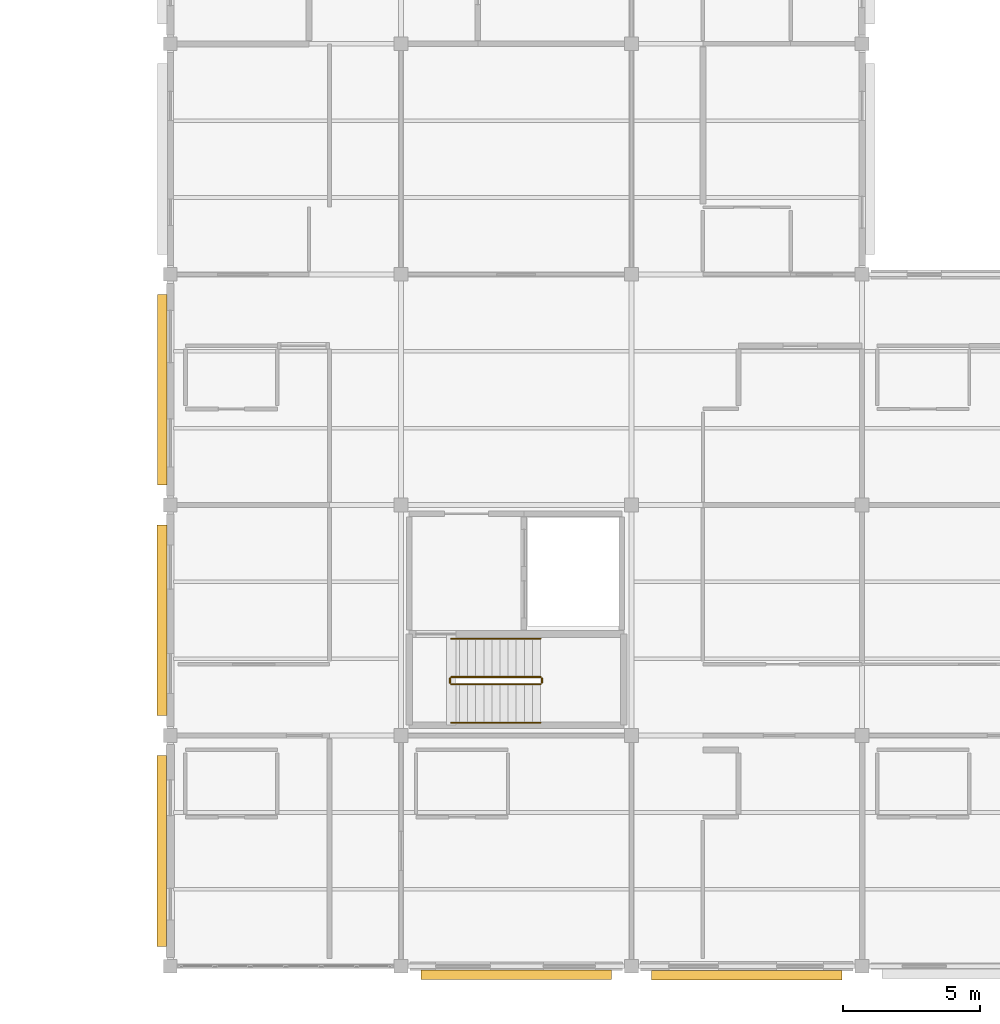
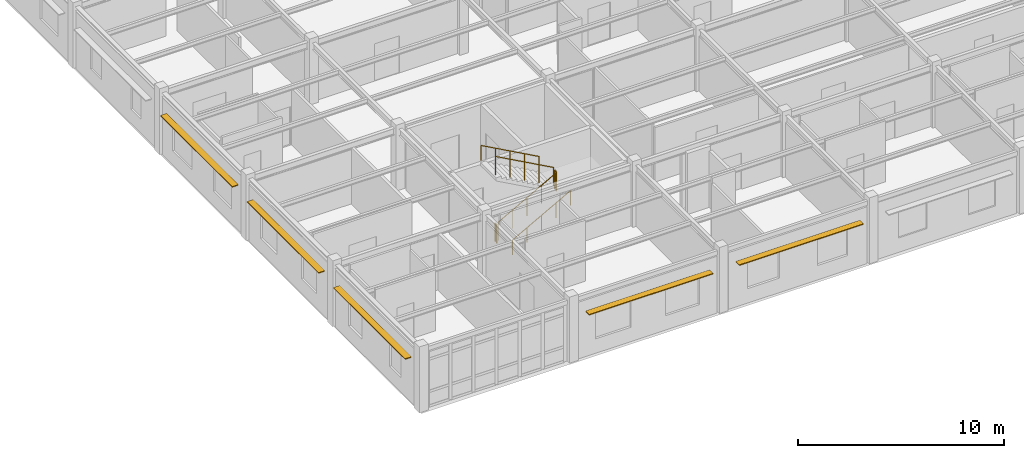
# One storey, part 47 of 53: 6 railings, 5 shading devices.
"""IFC4 building model written with IfcOpenShell, lengths in metres."""

import ifcopenshell
import ifcopenshell.guid

model = None  # the IFC model being written
_history = None  # IfcOwnerHistory: only IFC2X3 demands one
_inside = {}  # id of a spatial element -> (the spatial element, [elements in it])
_under = {}  # id of a project, library or spatial element -> (it, [spatial elements below it])
_declared = {}  # id of a project -> (the project, [libraries it declares])
_typed = {}  # id of a type object -> (the type object, [elements of that type])
_made_of = {}  # id of a material, layer set ... -> (it, [elements and type objects made of it])


def new_model(schema):
    """Start an empty IFC model of exactly this schema.

    Asked for "IFC4X3", IfcOpenShell would pick the latest addendum, in which some entities
    have other attributes; the version numbers below select the first issue.
    IFC2X3 requires an IfcOwnerHistory on every rooted entity: one is made here for all.
    """
    global model, _history
    if schema == "IFC4X3":
        model = ifcopenshell.file(schema_version=(4, 3, 0, 0))
    else:
        model = ifcopenshell.file(schema=schema)
    _inside.clear()
    _under.clear()
    _declared.clear()
    _typed.clear()
    _made_of.clear()
    _history = None
    if model.schema == "IFC2X3":
        org = make("IfcOrganization", Name="unknown")
        user = make(
            "IfcPersonAndOrganization",
            ThePerson=make("IfcPerson", FamilyName="unknown"),
            TheOrganization=org,
        )
        app = make(
            "IfcApplication",
            ApplicationDeveloper=org,
            Version="unknown",
            ApplicationFullName="unknown",
            ApplicationIdentifier="unknown",
        )
        _history = make(
            "IfcOwnerHistory",
            OwningUser=user,
            OwningApplication=app,
            ChangeAction="ADDED",
            CreationDate=0,
        )
    return model


def make(cls, **values):
    """One entity of the class cls with the attributes given. An attribute that is None is left unset."""
    return model.create_entity(
        cls, **{name: value for name, value in values.items() if value is not None}
    )


def rooted(cls, **values):
    """An entity with a GlobalId (a new one), such as an element, a storey or a relation."""
    return make(cls, GlobalId=ifcopenshell.guid.new(), OwnerHistory=_history, **values)


def si_unit(unit_type, name, prefix=None):
    """IfcSIUnit, for example si_unit("LENGTHUNIT", "METRE", prefix="MILLI")."""
    return make("IfcSIUnit", UnitType=unit_type, Prefix=prefix, Name=name)


def assignment(units):
    """IfcUnitAssignment: the units of a project."""
    return None if units is None else make("IfcUnitAssignment", Units=units)


def point(xyz):
    """IfcCartesianPoint."""
    return None if xyz is None else make("IfcCartesianPoint", Coordinates=xyz)


def direction(xyz):
    """IfcDirection."""
    return None if xyz is None else make("IfcDirection", DirectionRatios=xyz)


def frame(location, z_axis=None, x_axis=None):
    """IfcAxis2Placement3D, a coordinate frame: its origin and axes. An axis left out is left unset."""
    return make(
        "IfcAxis2Placement3D",
        Location=point(location),
        Axis=direction(z_axis),
        RefDirection=direction(x_axis),
    )


def frame_2d(location, x_axis=None):
    """IfcAxis2Placement2D, a coordinate frame in the plane: its origin and x axis."""
    return make(
        "IfcAxis2Placement2D", Location=point(location), RefDirection=direction(x_axis)
    )


def origin():
    """The frame at (0, 0, 0) with its axes left unset."""
    return frame((0.0, 0.0, 0.0))


def origin_2d():
    """The frame at (0, 0) in the plane with its x axis left unset."""
    return frame_2d((0.0, 0.0))


def place(relative_to, where):
    """IfcLocalPlacement: puts the frame where relative to a parent placement (None: the world)."""
    return make(
        "IfcLocalPlacement", PlacementRelTo=relative_to, RelativePlacement=where
    )


def context(
    kind, dimensions, precision=None, world=None, true_north=None, identifier=None
):
    """IfcGeometricRepresentationContext, for example the 3D "Model" context."""
    return make(
        "IfcGeometricRepresentationContext",
        ContextIdentifier=identifier,
        ContextType=kind,
        CoordinateSpaceDimension=dimensions,
        Precision=precision,
        WorldCoordinateSystem=world,
        TrueNorth=true_north,
    )


def subcontext(parent, identifier, kind, view, scale=None):
    """IfcGeometricRepresentationSubContext, for example "Body" below "Model"."""
    return make(
        "IfcGeometricRepresentationSubContext",
        ContextIdentifier=identifier,
        ContextType=kind,
        ParentContext=parent,
        TargetScale=scale,
        TargetView=view,
    )


def project(units=None, contexts=None):
    """IfcProject with its units and contexts."""
    return rooted(
        "IfcProject",
        Name="project",
        RepresentationContexts=contexts,
        UnitsInContext=assignment(units),
    )


def spatial(cls, under=None, at=None, **own):
    """A site, building, storey or space (cls), placed at a placement, below another one or the project."""
    s = rooted(cls, ObjectPlacement=at, **own)
    if under is not None:
        _under.setdefault(under.id(), (under, []))[1].append(s)
    return s


def profile(cls, at=None, kind="AREA", **sizes):
    """A parametric profile (cls). Its sizes go by their IFC names, for example OverallWidth=200.0."""
    return make(cls, ProfileType=kind, Position=at, **sizes)


def rectangle(**sizes):
    """IfcRectangleProfileDef."""
    return profile("IfcRectangleProfileDef", **sizes)


def circle(**sizes):
    """IfcCircleProfileDef."""
    return profile("IfcCircleProfileDef", **sizes)


def extrude(swept, where, along, depth):
    """IfcExtrudedAreaSolid: the profile swept, set in the frame where, extruded along a direction by depth."""
    return make(
        "IfcExtrudedAreaSolid",
        SweptArea=swept,
        Position=where,
        ExtrudedDirection=direction(along),
        Depth=depth,
    )


def shape(context_of_items, identifier, shape_type, items):
    """IfcShapeRepresentation: the items that make up one representation, for example the "Body"."""
    return make(
        "IfcShapeRepresentation",
        ContextOfItems=context_of_items,
        RepresentationIdentifier=identifier,
        RepresentationType=shape_type,
        Items=items,
    )


def material(Name=None, Category=None):
    """IfcMaterial."""
    return make("IfcMaterial", Name=Name, Category=Category)


def material_profile(
    of_material, cross_section, Name=None, Category=None, Priority=None
):
    """IfcMaterialProfile: a cross section and its material."""
    return make(
        "IfcMaterialProfile",
        Name=Name,
        Material=of_material,
        Profile=cross_section,
        Priority=Priority,
        Category=Category,
    )


def profile_set(profiles, Name=None, composite=None):
    """IfcMaterialProfileSet."""
    return make(
        "IfcMaterialProfileSet",
        Name=Name,
        MaterialProfiles=profiles,
        CompositeProfile=composite,
    )


def made_of(thing, what):
    """Note that an element or type object is made of a material, layer set ...; save() writes the relation."""
    if what is not None:
        _made_of.setdefault(what.id(), (what, []))[1].append(thing)
    return thing


def type_object(cls, material=None, **own):
    """A type object (cls), such as IfcWallType, which elements share."""
    return made_of(rooted(cls, **own), material)


def element(
    cls,
    number,
    at=None,
    inside=None,
    cuts=None,
    type_object=None,
    material=None,
    context=None,
    identifier="Body",
    shape_type=None,
    held_by="IfcProductDefinitionShape",
    body=None,
    shapes=None,
    **own,
):
    """One element of the class cls, such as IfcWall. Its Tag is "e" and its number.

    at: its placement. inside: the storey or other place that contains it. cuts: it is an
    opening in that element (IfcRelVoidsElement). A single representation is given by context,
    identifier, shape_type and body (its items); several are given by shapes. held_by: the class
    of the entity that holds the representations. save() writes the other relations.
    """
    e = rooted(cls, Tag="e%d" % number, ObjectPlacement=at, **own)
    if body is not None:
        shapes = [shape(context, identifier, shape_type, body)]
    if shapes is not None:
        e.Representation = make(held_by, Representations=shapes)
    if inside is not None:
        _inside.setdefault(inside.id(), (inside, []))[1].append(e)
    if cuts is not None:
        rooted(
            "IfcRelVoidsElement", RelatingBuildingElement=cuts, RelatedOpeningElement=e
        )
    if type_object is not None:
        _typed.setdefault(type_object.id(), (type_object, []))[1].append(e)
    return made_of(e, material)


def aggregate(whole, parts):
    """IfcRelAggregates: a whole, such as a stair, and the parts it consists of."""
    return rooted("IfcRelAggregates", RelatingObject=whole, RelatedObjects=parts)


def save(model, path):
    """Write the relations noted so far, then the file.

    IfcRelAggregates (storeys below a building ...), IfcRelContainedInSpatialStructure (elements
    in a storey), IfcRelDefinesByType, IfcRelAssociatesMaterial and IfcRelDeclares: one each for
    every whole, place, type object, material and project.
    """
    for whole, parts in _under.values():
        aggregate(whole, parts)
    for where, things in _inside.values():
        rooted(
            "IfcRelContainedInSpatialStructure",
            RelatedElements=things,
            RelatingStructure=where,
        )
    for kind, things in _typed.values():
        rooted("IfcRelDefinesByType", RelatedObjects=things, RelatingType=kind)
    for what, things in _made_of.values():
        rooted("IfcRelAssociatesMaterial", RelatedObjects=things, RelatingMaterial=what)
    for by, libraries in _declared.values():
        rooted("IfcRelDeclares", RelatingContext=by, RelatedDefinitions=libraries)
    model.write(path)


model = new_model("IFC4")

# Units and contexts
model_context = context("Model", 3, precision=1e-05, world=origin(), true_north=direction((0.0, 1.0)))
body_context = subcontext(model_context, "Body", "Model", "MODEL_VIEW")
ifc_project = project(units=[si_unit("LENGTHUNIT", "METRE"), si_unit("AREAUNIT", "SQUARE_METRE"), si_unit("VOLUMEUNIT", "CUBIC_METRE"), si_unit("PLANEANGLEUNIT", "RADIAN"), si_unit("MASSUNIT", "GRAM", prefix="KILO")], contexts=[model_context])

# Site, building, storey
site_placement = place(None, origin())
site = spatial("IfcSite", under=ifc_project, at=site_placement, CompositionType="ELEMENT")
building_placement = place(site_placement, origin())
building = spatial("IfcBuilding", under=site, at=building_placement, Name="Bramfleet General Hospital", CompositionType="ELEMENT")
storey_placement = place(building_placement, frame((0.0, 0.0, 26.39990234375)))
storey = spatial("IfcBuildingStorey", under=building, at=storey_placement, Name="L06", CompositionType="ELEMENT", Elevation=26.39990234375)

# Railings
ifc_material_1 = material(Name="Powder-coated steel stair balustrade", Category="steel")
railing_type_1 = type_object("IfcRailingType", Name="RAIL-ST-GUARD", PredefinedType="GUARDRAIL", material=ifc_material_1)
railing_1_placement = place(storey_placement, frame((102.639892578125, 10.27001953125, 0.16259765625)))
element("IfcRailing", 1, at=railing_1_placement, inside=storey, type_object=railing_type_1, Name="L06 ST-C3 stair guard 1", PredefinedType="GUARDRAIL", context=body_context, shape_type="SweptSolid", body=[
    extrude(circle(Radius=0.02392578125, at=origin_2d()), frame((0.0, 0.0, 1.076171875), z_axis=(0.875898504189, 0.0, 0.482495399314), x_axis=(0.0, 1.0, 0.0)), (0.0, 0.0, 1.0), 3.704833984375),
    extrude(circle(Radius=0.02099609375, at=origin_2d()), origin(), (0.0, 0.0, 1.0), 1.052001953125),
    extrude(circle(Radius=0.02099609375, at=origin_2d()), frame((0.811279296875, 0.0, 0.44677734375)), (0.0, 0.0, 1.0), 1.052001953125),
    extrude(circle(Radius=0.02099609375, at=origin_2d()), frame((1.62255859375, 0.0, 0.893798828125)), (0.0, 0.0, 1.0), 1.052001953125),
    extrude(circle(Radius=0.02099609375, at=origin_2d()), frame((2.433837890625, 0.0, 1.3408203125)), (0.0, 0.0, 1.0), 1.052001953125),
    extrude(circle(Radius=0.02099609375, at=origin_2d()), frame((3.2451171875, 0.0, 1.78759765625)), (0.0, 0.0, 1.0), 1.052001953125),
])
railing_2_placement = place(storey_placement, frame((105.93505859375, 10.320068359375, 1.9501953125)))
element("IfcRailing", 2, at=railing_2_placement, inside=storey, type_object=railing_type_1, Name="L06 ST-C3 stair guard 2", PredefinedType="GUARDRAIL", context=body_context, shape_type="SweptSolid", body=[
    extrude(circle(Radius=0.02392578125, at=origin_2d()), frame((0.0, 0.0, 1.076171875), z_axis=(0.0, 1.0, 0.0), x_axis=(-1.0, 0.0, 0.0)), (0.0, 0.0, 1.0), 0.159912109375),
    extrude(circle(Radius=0.02099609375, at=origin_2d()), origin(), (0.0, 0.0, 1.0), 1.052001953125),
    extrude(circle(Radius=0.02099609375, at=origin_2d()), frame((0.0, 0.159912109375, 0.0)), (0.0, 0.0, 1.0), 1.052001953125),
])
railing_3_placement = place(storey_placement, frame((105.885009765625, 10.530029296875, 2.112548828125)))
element("IfcRailing", 3, at=railing_3_placement, inside=storey, type_object=railing_type_1, Name="L06 ST-C3 stair guard 3", PredefinedType="GUARDRAIL", context=body_context, shape_type="SweptSolid", body=[
    extrude(circle(Radius=0.02392578125, at=origin_2d()), frame((0.0, 0.0, 1.076171875), z_axis=(-0.875898504189, 0.0, 0.482495399314), x_axis=(0.0, -1.0, 0.0)), (0.0, 0.0, 1.0), 3.704833984375),
    extrude(circle(Radius=0.02099609375, at=origin_2d()), origin(), (0.0, 0.0, 1.0), 1.052001953125),
    extrude(circle(Radius=0.02099609375, at=origin_2d()), frame((-0.811279296875, 0.0, 0.44677734375)), (0.0, 0.0, 1.0), 1.052001953125),
    extrude(circle(Radius=0.02099609375, at=origin_2d()), frame((-1.62255859375, 0.0, 0.893798828125)), (0.0, 0.0, 1.0), 1.052001953125),
    extrude(circle(Radius=0.02099609375, at=origin_2d()), frame((-2.433837890625, 0.0, 1.3408203125)), (0.0, 0.0, 1.0), 1.052001953125),
    extrude(circle(Radius=0.02099609375, at=origin_2d()), frame((-3.2451171875, 0.0, 1.78759765625)), (0.0, 0.0, 1.0), 1.052001953125),
])
railing_4_placement = place(storey_placement, frame((102.590087890625, 10.320068359375, 0.0)))
element("IfcRailing", 4, at=railing_4_placement, inside=storey, type_object=railing_type_1, Name="L06 ST-C3 stair guard 4", PredefinedType="GUARDRAIL", context=body_context, shape_type="SweptSolid", body=[
    extrude(circle(Radius=0.02392578125, at=origin_2d()), frame((0.0, 0.0, 1.076171875), z_axis=(0.0, 1.0, 0.0), x_axis=(-1.0, 0.0, 0.0)), (0.0, 0.0, 1.0), 0.159912109375),
    extrude(circle(Radius=0.02099609375, at=origin_2d()), origin(), (0.0, 0.0, 1.0), 1.052001953125),
    extrude(circle(Radius=0.02099609375, at=origin_2d()), frame((0.0, 0.159912109375, 0.0)), (0.0, 0.0, 1.0), 1.052001953125),
])
ifc_material_2 = material(Name="Stainless steel 1.4301 stair handrail", Category="steel")
railing_type_2 = type_object("IfcRailingType", Name="RAIL-ST-HND", PredefinedType="HANDRAIL", material=ifc_material_2)
railing_5_placement = place(storey_placement, frame((102.639892578125, 8.8701171875, 0.16259765625)))
element("IfcRailing", 5, at=railing_5_placement, inside=storey, type_object=railing_type_2, Name="L06 ST-C3 stair handrail 1", PredefinedType="HANDRAIL", context=body_context, shape_type="SweptSolid", body=[
    extrude(circle(Radius=0.02392578125, at=origin_2d()), frame((0.0, 0.0, 0.8759765625), z_axis=(0.875898504189, 0.0, 0.482495399314), x_axis=(0.0, 1.0, 0.0)), (0.0, 0.0, 1.0), 3.704833984375),
    extrude(circle(Radius=0.02099609375, at=origin_2d()), origin(), (0.0, 0.0, 1.0), 0.851806640625),
    extrude(circle(Radius=0.02099609375, at=origin_2d()), frame((0.811279296875, 0.0, 0.44677734375)), (0.0, 0.0, 1.0), 0.851806640625),
    extrude(circle(Radius=0.02099609375, at=origin_2d()), frame((1.62255859375, 0.0, 0.893798828125)), (0.0, 0.0, 1.0), 0.851806640625),
    extrude(circle(Radius=0.02099609375, at=origin_2d()), frame((2.433837890625, 0.0, 1.3408203125)), (0.0, 0.0, 1.0), 0.851806640625),
    extrude(circle(Radius=0.02099609375, at=origin_2d()), frame((3.2451171875, 0.0, 1.78759765625)), (0.0, 0.0, 1.0), 0.851806640625),
])
railing_6_placement = place(storey_placement, frame((105.885009765625, 11.929931640625, 2.112548828125)))
element("IfcRailing", 6, at=railing_6_placement, inside=storey, type_object=railing_type_2, Name="L06 ST-C3 stair handrail 2", PredefinedType="HANDRAIL", context=body_context, shape_type="SweptSolid", body=[
    extrude(circle(Radius=0.02392578125, at=origin_2d()), frame((0.0, 0.0, 0.8759765625), z_axis=(-0.875898504189, 0.0, 0.482495399314), x_axis=(0.0, -1.0, 0.0)), (0.0, 0.0, 1.0), 3.704833984375),
    extrude(circle(Radius=0.02099609375, at=origin_2d()), origin(), (0.0, 0.0, 1.0), 0.851806640625),
    extrude(circle(Radius=0.02099609375, at=origin_2d()), frame((-0.811279296875, 0.0, 0.44677734375)), (0.0, 0.0, 1.0), 0.851806640625),
    extrude(circle(Radius=0.02099609375, at=origin_2d()), frame((-1.62255859375, 0.0, 0.893798828125)), (0.0, 0.0, 1.0), 0.851806640625),
    extrude(circle(Radius=0.02099609375, at=origin_2d()), frame((-2.433837890625, 0.0, 1.3408203125)), (0.0, 0.0, 1.0), 0.851806640625),
    extrude(circle(Radius=0.02099609375, at=origin_2d()), frame((-3.2451171875, 0.0, 1.78759765625)), (0.0, 0.0, 1.0), 0.851806640625),
])

# Shading devices
ifc_material_3 = material(Name="Anodised aluminium EN AW-6063", Category="aluminium")
ifc_material_profile = material_profile(ifc_material_3, rectangle(XDim=0.050048828125, YDim=0.35009765625, at=origin_2d()), Name="ALU LOUVRE 350x50")
ifc_profile_set = profile_set([ifc_material_profile], Name="Anodised aluminium EN AW-6063")
shading_device_type = type_object("IfcShadingDeviceType", Name="SHD-LVR-350", PredefinedType="USERDEFINED", material=ifc_profile_set)
shading_device_1_placement = place(storey_placement, frame((116.875, -0.327392578125, 2.670166015625), z_axis=(-1.0, 0.0, 0.0), x_axis=(0.0, 0.0, 1.0)))
element("IfcShadingDevice", 7, at=shading_device_1_placement, inside=storey, type_object=shading_device_type, Name="L06 Solar Shading Louvre 101", ObjectType="Louvre", PredefinedType="USERDEFINED", context=body_context, shape_type="SweptSolid", body=[
    extrude(rectangle(XDim=0.050048828125, YDim=0.35009765625, at=origin_2d()), origin(), (0.0, 0.0, 1.0), 6.949951171875),
])
shading_device_2_placement = place(storey_placement, frame((108.47509765625, -0.3173828125, 2.670166015625), z_axis=(-1.0, 0.0, 0.0), x_axis=(0.0, 0.0, 1.0)))
element("IfcShadingDevice", 8, at=shading_device_2_placement, inside=storey, type_object=shading_device_type, Name="L06 Solar Shading Louvre 102", ObjectType="Louvre", PredefinedType="USERDEFINED", context=body_context, shape_type="SweptSolid", body=[
    extrude(rectangle(XDim=0.050048828125, YDim=0.35009765625, at=origin_2d()), origin(), (0.0, 0.0, 1.0), 6.9501953125),
])
for number, where, z_axis, x_axis, name in (
    (9, (92.092529296875, 0.72509765625, 2.670166015625), (0.0, 1.0, 0.0), (0.0, 0.0, 1.0), "L06 Solar Shading Louvre 103"),
    (10, (92.10009765625, 9.125, 2.670166015625), (0.0, 1.0, 0.0), (0.0, 0.0, 1.0), "L06 Solar Shading Louvre 104"),
):
    element("IfcShadingDevice", number, at=place(storey_placement, frame(where, z_axis=z_axis, x_axis=x_axis)), inside=storey, type_object=shading_device_type, Name=name, ObjectType="Louvre", PredefinedType="USERDEFINED", context=body_context, shape_type="SweptSolid", body=[
        extrude(rectangle(XDim=0.050048828125, YDim=0.35009765625, at=origin_2d()), origin(), (0.0, 0.0, 1.0), 6.949951171875),
    ])
shading_device_3_placement = place(storey_placement, frame((92.107421875, 17.52490234375, 2.670166015625), z_axis=(0.0, 1.0, 0.0), x_axis=(0.0, 0.0, 1.0)))
element("IfcShadingDevice", 11, at=shading_device_3_placement, inside=storey, type_object=shading_device_type, Name="L06 Solar Shading Louvre 105", ObjectType="Louvre", PredefinedType="USERDEFINED", context=body_context, shape_type="SweptSolid", body=[
    extrude(rectangle(XDim=0.050048828125, YDim=0.35009765625, at=origin_2d()), origin(), (0.0, 0.0, 1.0), 6.9501953125),
])

save(model, "model.ifc")
